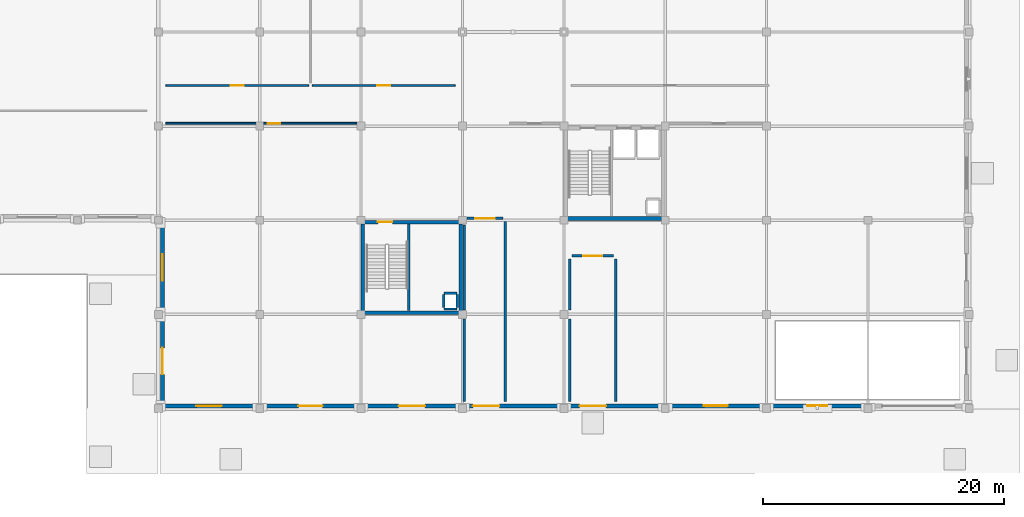
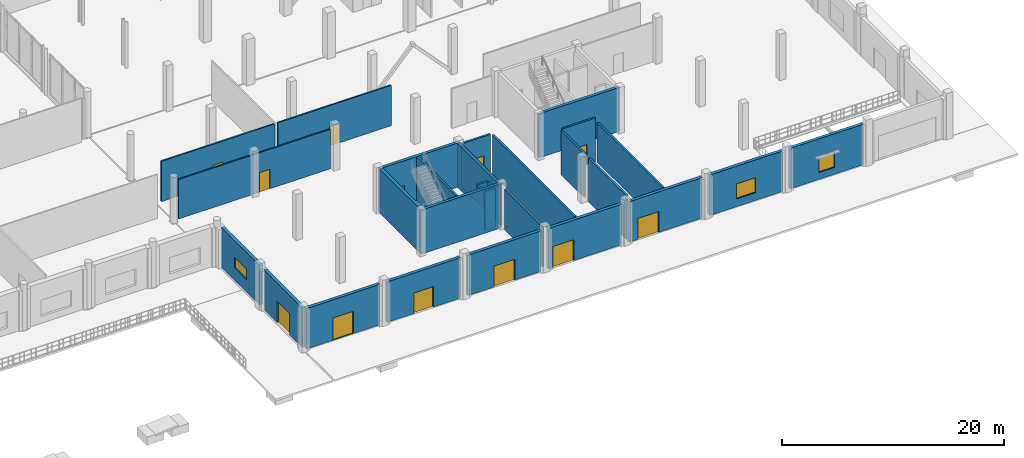
# One storey, part 54 of 80: 30 walls, 12 doors, 3 windows, 15 openings.
"""IFC4 building model written with IfcOpenShell, lengths in metres."""

from ifc_helpers import new_model, si_unit, direction, frame, frame_2d, origin, place, context, subcontext, project, spatial, rectangle, extrude, material, layer, layer_set, type_object, element, fill, save


model = new_model("IFC4")

# Units and contexts
model_context = context("Model", 3, precision=1e-05, world=origin(), true_north=direction((0.0, 1.0)))
body_context = subcontext(model_context, "Body", "Model", "MODEL_VIEW")
ifc_project = project(units=[si_unit("LENGTHUNIT", "METRE"), si_unit("AREAUNIT", "SQUARE_METRE"), si_unit("VOLUMEUNIT", "CUBIC_METRE"), si_unit("PLANEANGLEUNIT", "RADIAN"), si_unit("MASSUNIT", "GRAM", prefix="KILO")], contexts=[model_context])

# Site, building, storey
site_placement = place(None, origin())
site = spatial("IfcSite", under=ifc_project, at=site_placement, CompositionType="ELEMENT")
building_placement = place(site_placement, origin())
building = spatial("IfcBuilding", under=site, at=building_placement, Name="Nabrawat Pavilion Hospital", CompositionType="ELEMENT")
storey_placement = place(building_placement, origin())
storey = spatial("IfcBuildingStorey", under=building, at=storey_placement, Name="L00", CompositionType="ELEMENT", Elevation=0.0)

# Wall, opening, door
ifc_material_1 = material(Name="Gypsum Fireboard on Steel Stud", Category="steel")
ifc_layer_1 = layer(ifc_material_1, 0.14990234375, Name="Gypsum Fireboard on Steel Stud")
ifc_layer_set_1 = layer_set([ifc_layer_1], Name="Gypsum Fireboard on Steel Stud")
wall_type_1 = type_object("IfcWallType", Name="Clinical Corridor Smoke-Barrier Wall 150", PredefinedType="PARTITIONING", material=ifc_layer_set_1)
wall_1_placement = place(storey_placement, frame((126.6201171875, 23.635009765625, 0.0), z_axis=(0.0, 0.0, 1.0), x_axis=(1.0, 0.0, 0.0)))
wall_1 = element("IfcWall", 1, at=wall_1_placement, inside=storey, type_object=wall_type_1, Name="L00 Outpatient Clinic General Medicine Room L00-01 Front Partition", PredefinedType="PARTITIONING", context=body_context, shape_type="SweptSolid", body=[
    extrude(rectangle(XDim=15.829833984375, YDim=0.14990234375, at=frame_2d((7.9150390625, 0.0))), origin(), (0.0, 0.0, 1.0), 4.35009765625),
])
opening_1_placement = place(wall_1_placement, frame((8.43994140625, 0.0, 0.0)))
opening_1 = element("IfcOpeningElement", 2, at=opening_1_placement, cuts=wall_1, Name="Opening D-OPC-L", PredefinedType="OPENING", context=body_context, shape_type="SweptSolid", body=[
    extrude(rectangle(XDim=1.050048828125, YDim=2.14990234375, at=frame_2d((0.52490234375, 1.074951171875))), frame((0.0, 0.0849609375, 0.0), z_axis=(0.0, -1.0, 0.0), x_axis=(1.0, 0.0, 0.0)), (0.0, 0.0, 1.0), 0.169921875),
])
ifc_material_2 = material(Name="Stainless-Clad Acoustic Timber and Vision Glass", Category="wood")
door_type_1 = type_object("IfcDoorType", Name="Outpatient Clinic Consultation Door L 1050x2150", OperationType="NOTDEFINED", PredefinedType="DOOR", material=ifc_material_2)
door_1_placement = place(opening_1_placement, origin())
door_1 = element("IfcDoor", 3, at=door_1_placement, inside=storey, type_object=door_type_1, Name="Outpatient Clinic General Medicine Room L00-01 Door", OperationType="SINGLE_SWING_RIGHT", OverallHeight=2.14990234375, OverallWidth=1.050048828125, PredefinedType="DOOR", context=body_context, shape_type="SweptSolid", body=[
    extrude(rectangle(XDim=1.050048828125, YDim=2.14990234375, at=frame_2d((0.52490234375, 1.074951171875))), frame((0.0, 0.02490234375, 0.0), z_axis=(0.0, -1.0, 0.0), x_axis=(1.0, 0.0, 0.0)), (0.0, 0.0, 1.0), 0.050048828125),
])
fill(opening_1, door_1)

wall_2_placement = place(storey_placement, frame((126.6201171875, 26.764892578125, 0.0), z_axis=(0.0, 0.0, 1.0), x_axis=(1.0, 0.0, 0.0)))
wall_2 = element("IfcWall", 4, at=wall_2_placement, inside=storey, type_object=wall_type_1, Name="L00 Outpatient Audiology and ENT Testing Booth L00-04 Front Partition", PredefinedType="PARTITIONING", context=body_context, shape_type="SweptSolid", body=[
    extrude(rectangle(XDim=11.81982421875, YDim=0.14990234375, at=frame_2d((5.909912109375, 0.0))), origin(), (0.0, 0.0, 1.0), 4.449951171875),
])
opening_2_placement = place(wall_2_placement, frame((5.385009765625, 0.0, 0.0)))
opening_2 = element("IfcOpeningElement", 5, at=opening_2_placement, cuts=wall_2, Name="Opening D-OPC-R", PredefinedType="OPENING", context=body_context, shape_type="SweptSolid", body=[
    extrude(rectangle(XDim=1.050048828125, YDim=2.14990234375, at=frame_2d((0.52490234375, 1.074951171875))), frame((0.0, 0.0849609375, 0.0), z_axis=(0.0, -1.0, 0.0), x_axis=(1.0, 0.0, 0.0)), (0.0, 0.0, 1.0), 0.169921875),
])
door_type_2 = type_object("IfcDoorType", Name="Outpatient Clinic Consultation Door R 1050x2150", OperationType="NOTDEFINED", PredefinedType="DOOR", material=ifc_material_2)
door_2_placement = place(opening_2_placement, origin())
door_2 = element("IfcDoor", 6, at=door_2_placement, inside=storey, type_object=door_type_2, Name="Outpatient Audiology and ENT Testing Booth L00-04 Door", OperationType="SINGLE_SWING_LEFT", OverallHeight=2.14990234375, OverallWidth=1.050048828125, PredefinedType="DOOR", context=body_context, shape_type="SweptSolid", body=[
    extrude(rectangle(XDim=1.050048828125, YDim=2.14990234375, at=frame_2d((0.52490234375, 1.074951171875))), frame((0.0, 0.02490234375, 0.0), z_axis=(0.0, -1.0, 0.0), x_axis=(1.0, 0.0, 0.0)), (0.0, 0.0, 1.0), 0.050048828125),
])
fill(opening_2, door_2)

wall_3_placement = place(storey_placement, frame((138.760009765625, 26.764892578125, 0.0), z_axis=(0.0, 0.0, 1.0), x_axis=(1.0, 0.0, 0.0)))
wall_3 = element("IfcWall", 7, at=wall_3_placement, inside=storey, type_object=wall_type_1, Name="L00 Outpatient Ophthalmology Examination Room L00-05 Front Partition", PredefinedType="PARTITIONING", context=body_context, shape_type="SweptSolid", body=[
    extrude(rectangle(XDim=11.820068359375, YDim=0.14990234375, at=frame_2d((5.91015625, 0.0))), origin(), (0.0, 0.0, 1.0), 4.449951171875),
])
opening_3_placement = place(wall_3_placement, frame((5.385009765625, 0.0, 0.0)))
opening_3 = element("IfcOpeningElement", 8, at=opening_3_placement, cuts=wall_3, Name="Opening D-OPC-L", PredefinedType="OPENING", context=body_context, shape_type="SweptSolid", body=[
    extrude(rectangle(XDim=1.050048828125, YDim=2.14990234375, at=frame_2d((0.52490234375, 1.074951171875))), frame((0.0, 0.0849609375, 0.0), z_axis=(0.0, -1.0, 0.0), x_axis=(1.0, 0.0, 0.0)), (0.0, 0.0, 1.0), 0.169921875),
])
door_3_placement = place(opening_3_placement, origin())
door_3 = element("IfcDoor", 9, at=door_3_placement, inside=storey, type_object=door_type_1, Name="Outpatient Ophthalmology Examination Room L00-05 Door", OperationType="SINGLE_SWING_RIGHT", OverallHeight=2.14990234375, OverallWidth=1.050048828125, PredefinedType="DOOR", context=body_context, shape_type="SweptSolid", body=[
    extrude(rectangle(XDim=1.050048828125, YDim=2.14990234375, at=frame_2d((0.52490234375, 1.074951171875))), frame((0.0, 0.02490234375, 0.0), z_axis=(0.0, -1.0, 0.0), x_axis=(1.0, 0.0, 0.0)), (0.0, 0.0, 1.0), 0.050048828125),
])
fill(opening_3, door_3)

ifc_material_3 = material(Name="Precast concrete C40/50", Category="concrete")
ifc_layer_2 = layer(ifc_material_3, 0.320068359375, Name="Precast concrete C40/50")
ifc_layer_set_2 = layer_set([ifc_layer_2], Name="Precast concrete C40/50")
wall_type_2 = type_object("IfcWallType", Name="Deep-Reveal Precast Facade Wall 320", PredefinedType="SOLIDWALL", material=ifc_layer_set_2)
wall_4_placement = place(storey_placement, frame((126.340087890625, 0.43994140625, 0.0), z_axis=(0.0, 0.0, 1.0), x_axis=(0.0, 1.0, 0.0)))
wall_4 = element("IfcWall", 10, at=wall_4_placement, inside=storey, type_object=wall_type_2, Name="L00 Deep-Reveal Precast Facade Wall 320 134", PredefinedType="SOLIDWALL", context=body_context, shape_type="SweptSolid", body=[
    extrude(rectangle(XDim=6.985107421875, YDim=0.320068359375, at=frame_2d((3.49267578125, 0.0))), origin(), (0.0, 0.0, 1.0), 4.35009765625),
])
opening_4_placement = place(wall_4_placement, frame((2.392578125, 0.0, 0.0)))
opening_4 = element("IfcOpeningElement", 11, at=opening_4_placement, cuts=wall_4, Name="Opening ED-EXIT-220", PredefinedType="OPENING", context=body_context, shape_type="SweptSolid", body=[
    extrude(rectangle(XDim=2.199951171875, YDim=2.300048828125, at=frame_2d((1.10009765625, 1.14990234375))), frame((0.0, 0.169921875, 0.0), z_axis=(0.0, -1.0, 0.0), x_axis=(1.0, 0.0, 0.0)), (0.0, 0.0, 1.0), 0.340087890625),
])
ifc_material_4 = material(Name="Powder-Coated Galvanised Steel and Safety Glass", Category="steel")
door_type_3 = type_object("IfcDoorType", Name="Perimeter Double Final-Exit Door 2200x2300", OperationType="NOTDEFINED", PredefinedType="DOOR", material=ifc_material_4)
door_4_placement = place(opening_4_placement, origin())
door_4 = element("IfcDoor", 12, at=door_4_placement, inside=storey, type_object=door_type_3, Name="L00 Perimeter Final Exit Door 18", OperationType="DOUBLE_DOOR_SINGLE_SWING", OverallHeight=2.300048828125, OverallWidth=2.199951171875, PredefinedType="DOOR", context=body_context, shape_type="SweptSolid", body=[
    extrude(rectangle(XDim=2.199951171875, YDim=2.300048828125, at=frame_2d((1.10009765625, 1.14990234375))), frame((0.0, 0.02490234375, 0.0), z_axis=(0.0, -1.0, 0.0), x_axis=(1.0, 0.0, 0.0)), (0.0, 0.0, 1.0), 0.050048828125),
])
fill(opening_4, door_4)

# Wall, opening, window
wall_5_placement = place(storey_placement, frame((126.340087890625, 8.175048828125, 0.0), z_axis=(0.0, 0.0, 1.0), x_axis=(0.0, 1.0, 0.0)))
wall_5 = element("IfcWall", 13, at=wall_5_placement, inside=storey, type_object=wall_type_2, Name="L00 Deep-Reveal Precast Facade Wall 320 135", PredefinedType="SOLIDWALL", context=body_context, shape_type="SweptSolid", body=[
    extrude(rectangle(XDim=6.98486328125, YDim=0.320068359375, at=frame_2d((3.492431640625, 0.0))), origin(), (0.0, 0.0, 1.0), 4.35009765625),
])
opening_5_placement = place(wall_5_placement, frame((2.392578125, 0.0, 1.35009765625)))
opening_5 = element("IfcOpeningElement", 14, at=opening_5_placement, cuts=wall_5, Name="Opening WN-11", PredefinedType="OPENING", context=body_context, shape_type="SweptSolid", body=[
    extrude(rectangle(XDim=2.199951171875, YDim=1.14990234375, at=frame_2d((1.10009765625, 0.574951171875))), frame((0.0, 0.169921875, 0.0), z_axis=(0.0, -1.0, 0.0), x_axis=(1.0, 0.0, 0.0)), (0.0, 0.0, 1.0), 0.340087890625),
])
ifc_material_5 = material(Name="Thermally Broken Aluminium and Solar Glass", Category="aluminium")
window_type_1 = type_object("IfcWindowType", Name="Diagnostic Laboratory Clerestory 2200x1150", PartitioningType="SINGLE_PANEL", PredefinedType="WINDOW", material=ifc_material_5)
window_1_placement = place(opening_5_placement, origin())
window_1 = element("IfcWindow", 15, at=window_1_placement, inside=storey, type_object=window_type_1, Name="L00 Diagnostic Laboratory Clerestory 2200x1150 043", OverallHeight=1.14990234375, OverallWidth=2.199951171875, PartitioningType="SINGLE_PANEL", PredefinedType="WINDOW", context=body_context, shape_type="SweptSolid", body=[
    extrude(rectangle(XDim=2.199951171875, YDim=1.14990234375, at=frame_2d((1.10009765625, 0.574951171875))), frame((0.0, 0.030029296875, 0.0), z_axis=(0.0, -1.0, 0.0), x_axis=(1.0, 0.0, 0.0)), (0.0, 0.0, 1.0), 0.06005859375),
])
fill(opening_5, window_1)

# Wall, opening, door
wall_6_placement = place(storey_placement, frame((126.375, 0.219970703125, 0.0), z_axis=(0.0, 0.0, 1.0), x_axis=(1.0, 0.0, 0.0)))
wall_6 = element("IfcWall", 16, at=wall_6_placement, inside=storey, type_object=wall_type_2, Name="L00 Deep-Reveal Precast Facade Wall 320 136", PredefinedType="SOLIDWALL", context=body_context, shape_type="SweptSolid", body=[
    extrude(rectangle(XDim=7.64990234375, YDim=0.320068359375, at=frame_2d((3.824951171875, 0.0))), origin(), (0.0, 0.0, 1.0), 4.4599609375),
])
opening_6_placement = place(wall_6_placement, frame((2.77490234375, 0.0, 0.0)))
opening_6 = element("IfcOpeningElement", 17, at=opening_6_placement, cuts=wall_6, Name="Opening ED-OPC-210", PredefinedType="OPENING", context=body_context, shape_type="SweptSolid", body=[
    extrude(rectangle(XDim=2.10009765625, YDim=2.449951171875, at=frame_2d((1.050048828125, 1.22509765625))), frame((0.0, 0.169921875, 0.0), z_axis=(0.0, -1.0, 0.0), x_axis=(1.0, 0.0, 0.0)), (0.0, 0.0, 1.0), 0.340087890625),
])
door_type_4 = type_object("IfcDoorType", Name="Outpatient Plaza Double Entrance Door 2100x2450", OperationType="NOTDEFINED", PredefinedType="DOOR", material=ifc_material_4)
door_5_placement = place(opening_6_placement, frame((2.10009765625, 0.0, 0.0), z_axis=(0.0, 0.0, 1.0), x_axis=(-1.0, 0.0, 0.0)))
door_5 = element("IfcDoor", 18, at=door_5_placement, inside=storey, type_object=door_type_4, Name="L00 Perimeter Final Exit Door 19", OperationType="DOUBLE_DOOR_SINGLE_SWING", OverallHeight=2.449951171875, OverallWidth=2.10009765625, PredefinedType="DOOR", context=body_context, shape_type="SweptSolid", body=[
    extrude(rectangle(XDim=2.10009765625, YDim=2.449951171875, at=frame_2d((1.050048828125, 1.22509765625))), frame((0.0, 0.02490234375, 0.0), z_axis=(0.0, -1.0, 0.0), x_axis=(1.0, 0.0, 0.0)), (0.0, 0.0, 1.0), 0.050048828125),
])
fill(opening_6, door_5)

wall_7_placement = place(storey_placement, frame((134.77490234375, 0.219970703125, 0.0), z_axis=(0.0, 0.0, 1.0), x_axis=(1.0, 0.0, 0.0)))
wall_7 = element("IfcWall", 19, at=wall_7_placement, inside=storey, type_object=wall_type_2, Name="L00 Deep-Reveal Precast Facade Wall 320 137", PredefinedType="SOLIDWALL", context=body_context, shape_type="SweptSolid", body=[
    extrude(rectangle(XDim=7.650146484375, YDim=0.320068359375, at=frame_2d((3.8251953125, 0.0))), origin(), (0.0, 0.0, 1.0), 4.4599609375),
])
opening_7_placement = place(wall_7_placement, frame((2.824951171875, 0.0, 0.0)))
opening_7 = element("IfcOpeningElement", 20, at=opening_7_placement, cuts=wall_7, Name="Opening ED-EXIT-200", PredefinedType="OPENING", context=body_context, shape_type="SweptSolid", body=[
    extrude(rectangle(XDim=2.0, YDim=2.25, at=frame_2d((1.0, 1.125))), frame((0.0, 0.169921875, 0.0), z_axis=(0.0, -1.0, 0.0), x_axis=(1.0, 0.0, 0.0)), (0.0, 0.0, 1.0), 0.340087890625),
])
door_type_5 = type_object("IfcDoorType", Name="Secondary Final-Exit Double Door 2000x2250", OperationType="NOTDEFINED", PredefinedType="DOOR", material=ifc_material_4)
door_6_placement = place(opening_7_placement, frame((2.0, 0.0, 0.0), z_axis=(0.0, 0.0, 1.0), x_axis=(-1.0, 0.0, 0.0)))
door_6 = element("IfcDoor", 21, at=door_6_placement, inside=storey, type_object=door_type_5, Name="L00 Perimeter Final Exit Door 20", OperationType="DOUBLE_DOOR_SINGLE_SWING", OverallHeight=2.25, OverallWidth=2.0, PredefinedType="DOOR", context=body_context, shape_type="SweptSolid", body=[
    extrude(rectangle(XDim=2.0, YDim=2.25, at=frame_2d((1.0, 1.125))), frame((0.0, 0.02490234375, 0.0), z_axis=(0.0, -1.0, 0.0), x_axis=(1.0, 0.0, 0.0)), (0.0, 0.0, 1.0), 0.050048828125),
])
fill(opening_7, door_6)

wall_8_placement = place(storey_placement, frame((143.175048828125, 0.219970703125, 0.0), z_axis=(0.0, 0.0, 1.0), x_axis=(1.0, 0.0, 0.0)))
wall_8 = element("IfcWall", 22, at=wall_8_placement, inside=storey, type_object=wall_type_2, Name="L00 Deep-Reveal Precast Facade Wall 320 138", PredefinedType="SOLIDWALL", context=body_context, shape_type="SweptSolid", body=[
    extrude(rectangle(XDim=7.64990234375, YDim=0.320068359375, at=frame_2d((3.824951171875, 0.0))), origin(), (0.0, 0.0, 1.0), 4.4599609375),
])
opening_8_placement = place(wall_8_placement, frame((2.72509765625, 0.0, 0.0)))
opening_8 = element("IfcOpeningElement", 23, at=opening_8_placement, cuts=wall_8, Name="Opening ED-EXIT-220", PredefinedType="OPENING", context=body_context, shape_type="SweptSolid", body=[
    extrude(rectangle(XDim=2.199951171875, YDim=2.300048828125, at=frame_2d((1.10009765625, 1.14990234375))), frame((0.0, 0.169921875, 0.0), z_axis=(0.0, -1.0, 0.0), x_axis=(1.0, 0.0, 0.0)), (0.0, 0.0, 1.0), 0.340087890625),
])
door_7_placement = place(opening_8_placement, frame((2.199951171875, 0.0, 0.0), z_axis=(0.0, 0.0, 1.0), x_axis=(-1.0, 0.0, 0.0)))
door_7 = element("IfcDoor", 24, at=door_7_placement, inside=storey, type_object=door_type_3, Name="L00 Perimeter Final Exit Door 21", OperationType="DOUBLE_DOOR_SINGLE_SWING", OverallHeight=2.300048828125, OverallWidth=2.199951171875, PredefinedType="DOOR", context=body_context, shape_type="SweptSolid", body=[
    extrude(rectangle(XDim=2.199951171875, YDim=2.300048828125, at=frame_2d((1.10009765625, 1.14990234375))), frame((0.0, 0.02490234375, 0.0), z_axis=(0.0, -1.0, 0.0), x_axis=(1.0, 0.0, 0.0)), (0.0, 0.0, 1.0), 0.050048828125),
])
fill(opening_8, door_7)

wall_9_placement = place(storey_placement, frame((151.574951171875, 0.219970703125, 0.0), z_axis=(0.0, 0.0, 1.0), x_axis=(1.0, 0.0, 0.0)))
wall_9 = element("IfcWall", 25, at=wall_9_placement, inside=storey, type_object=wall_type_2, Name="L00 Deep-Reveal Precast Facade Wall 320 139", PredefinedType="SOLIDWALL", context=body_context, shape_type="SweptSolid", body=[
    extrude(rectangle(XDim=7.650146484375, YDim=0.320068359375, at=frame_2d((3.8251953125, 0.0))), origin(), (0.0, 0.0, 1.0), 4.4599609375),
])
opening_9_placement = place(wall_9_placement, frame((0.47509765625, 0.0, 0.0)))
opening_9 = element("IfcOpeningElement", 26, at=opening_9_placement, cuts=wall_9, Name="Opening ED-EXIT-220", PredefinedType="OPENING", context=body_context, shape_type="SweptSolid", body=[
    extrude(rectangle(XDim=2.199951171875, YDim=2.300048828125, at=frame_2d((1.10009765625, 1.14990234375))), frame((0.0, 0.169921875, 0.0), z_axis=(0.0, -1.0, 0.0), x_axis=(1.0, 0.0, 0.0)), (0.0, 0.0, 1.0), 0.340087890625),
])
door_8_placement = place(opening_9_placement, frame((2.199951171875, 0.0, 0.0), z_axis=(0.0, 0.0, 1.0), x_axis=(-1.0, 0.0, 0.0)))
door_8 = element("IfcDoor", 27, at=door_8_placement, inside=storey, type_object=door_type_3, Name="L00 ST-08 Protected Exit Discharge Final Exit Door", OperationType="DOUBLE_DOOR_SINGLE_SWING", OverallHeight=2.300048828125, OverallWidth=2.199951171875, PredefinedType="DOOR", context=body_context, shape_type="SweptSolid", body=[
    extrude(rectangle(XDim=2.199951171875, YDim=2.300048828125, at=frame_2d((1.10009765625, 1.14990234375))), frame((0.0, 0.02490234375, 0.0), z_axis=(0.0, -1.0, 0.0), x_axis=(1.0, 0.0, 0.0)), (0.0, 0.0, 1.0), 0.050048828125),
])
fill(opening_9, door_8)

wall_10_placement = place(storey_placement, frame((159.97509765625, 0.219970703125, 0.0), z_axis=(0.0, 0.0, 1.0), x_axis=(1.0, 0.0, 0.0)))
wall_10 = element("IfcWall", 28, at=wall_10_placement, inside=storey, type_object=wall_type_2, Name="L00 Deep-Reveal Precast Facade Wall 320 140", PredefinedType="SOLIDWALL", context=body_context, shape_type="SweptSolid", body=[
    extrude(rectangle(XDim=7.64990234375, YDim=0.320068359375, at=frame_2d((3.824951171875, 0.0))), origin(), (0.0, 0.0, 1.0), 4.4599609375),
])
opening_10_placement = place(wall_10_placement, frame((0.925048828125, 0.0, 0.0)))
opening_10 = element("IfcOpeningElement", 29, at=opening_10_placement, cuts=wall_10, Name="Opening ED-EXIT-220", PredefinedType="OPENING", context=body_context, shape_type="SweptSolid", body=[
    extrude(rectangle(XDim=2.199951171875, YDim=2.300048828125, at=frame_2d((1.10009765625, 1.14990234375))), frame((0.0, 0.169921875, 0.0), z_axis=(0.0, -1.0, 0.0), x_axis=(1.0, 0.0, 0.0)), (0.0, 0.0, 1.0), 0.340087890625),
])
door_9_placement = place(opening_10_placement, frame((2.199951171875, 0.0, 0.0), z_axis=(0.0, 0.0, 1.0), x_axis=(-1.0, 0.0, 0.0)))
door_9 = element("IfcDoor", 30, at=door_9_placement, inside=storey, type_object=door_type_3, Name="L00 ST-04 Protected Exit Discharge Final Exit Door", OperationType="DOUBLE_DOOR_SINGLE_SWING", OverallHeight=2.300048828125, OverallWidth=2.199951171875, PredefinedType="DOOR", context=body_context, shape_type="SweptSolid", body=[
    extrude(rectangle(XDim=2.199951171875, YDim=2.300048828125, at=frame_2d((1.10009765625, 1.14990234375))), frame((0.0, 0.02490234375, 0.0), z_axis=(0.0, -1.0, 0.0), x_axis=(1.0, 0.0, 0.0)), (0.0, 0.0, 1.0), 0.050048828125),
])
fill(opening_10, door_9)

# Wall, opening, window
wall_11_placement = place(storey_placement, frame((168.375, 0.219970703125, 0.0), z_axis=(0.0, 0.0, 1.0), x_axis=(1.0, 0.0, 0.0)))
wall_11 = element("IfcWall", 31, at=wall_11_placement, inside=storey, type_object=wall_type_2, Name="L00 Deep-Reveal Precast Facade Wall 320 141", PredefinedType="SOLIDWALL", context=body_context, shape_type="SweptSolid", body=[
    extrude(rectangle(XDim=7.64990234375, YDim=0.320068359375, at=frame_2d((3.824951171875, 0.0))), origin(), (0.0, 0.0, 1.0), 4.4599609375),
])
opening_11_placement = place(wall_11_placement, frame((2.824951171875, 0.0, 0.85009765625)))
opening_11 = element("IfcOpeningElement", 32, at=opening_11_placement, cuts=wall_11, Name="Opening WN-12", PredefinedType="OPENING", context=body_context, shape_type="SweptSolid", body=[
    extrude(rectangle(XDim=2.0, YDim=1.64990234375, at=frame_2d((1.0, 0.824951171875))), frame((0.0, 0.169921875, 0.0), z_axis=(0.0, -1.0, 0.0), x_axis=(1.0, 0.0, 0.0)), (0.0, 0.0, 1.0), 0.340087890625),
])
window_type_2 = type_object("IfcWindowType", Name="ICU Observation Daylight Window 2000x1650", PartitioningType="SINGLE_PANEL", PredefinedType="WINDOW", material=ifc_material_5)
window_2_placement = place(opening_11_placement, origin())
window_2 = element("IfcWindow", 33, at=window_2_placement, inside=storey, type_object=window_type_2, Name="L00 ICU Observation Daylight Window 2000x1650 044", OverallHeight=1.64990234375, OverallWidth=2.0, PartitioningType="SINGLE_PANEL", PredefinedType="WINDOW", context=body_context, shape_type="SweptSolid", body=[
    extrude(rectangle(XDim=2.0, YDim=1.64990234375, at=frame_2d((1.0, 0.824951171875))), frame((0.0, 0.030029296875, 0.0), z_axis=(0.0, -1.0, 0.0), x_axis=(1.0, 0.0, 0.0)), (0.0, 0.0, 1.0), 0.06005859375),
])
fill(opening_11, window_2)

wall_12_placement = place(storey_placement, frame((176.77490234375, 0.219970703125, 0.0), z_axis=(0.0, 0.0, 1.0), x_axis=(1.0, 0.0, 0.0)))
wall_12 = element("IfcWall", 34, at=wall_12_placement, inside=storey, type_object=wall_type_2, Name="L00 Deep-Reveal Precast Facade Wall 320 142", PredefinedType="SOLIDWALL", context=body_context, shape_type="SweptSolid", body=[
    extrude(rectangle(XDim=7.650146484375, YDim=0.320068359375, at=frame_2d((3.8251953125, 0.0))), origin(), (0.0, 0.0, 1.0), 4.4599609375),
])
opening_12_placement = place(wall_12_placement, frame((3.0, 0.0, 0.75)))
opening_12 = element("IfcOpeningElement", 35, at=opening_12_placement, cuts=wall_12, Name="Opening WN-13", PredefinedType="OPENING", context=body_context, shape_type="SweptSolid", body=[
    extrude(rectangle(XDim=1.64990234375, YDim=1.75, at=frame_2d((0.824951171875, 0.875))), frame((0.0, 0.169921875, 0.0), z_axis=(0.0, -1.0, 0.0), x_axis=(1.0, 0.0, 0.0)), (0.0, 0.0, 1.0), 0.340087890625),
])
window_type_3 = type_object("IfcWindowType", Name="Paediatric Ward Low-Sill Window 1650x1750", PartitioningType="SINGLE_PANEL", PredefinedType="WINDOW", material=ifc_material_5)
window_3_placement = place(opening_12_placement, origin())
window_3 = element("IfcWindow", 36, at=window_3_placement, inside=storey, type_object=window_type_3, Name="L00 Paediatric Ward Low-Sill Window 1650x1750 045", OverallHeight=1.75, OverallWidth=1.64990234375, PartitioningType="SINGLE_PANEL", PredefinedType="WINDOW", context=body_context, shape_type="SweptSolid", body=[
    extrude(rectangle(XDim=1.64990234375, YDim=1.75, at=frame_2d((0.824951171875, 0.875))), frame((0.0, 0.030029296875, 0.0), z_axis=(0.0, -1.0, 0.0), x_axis=(1.0, 0.0, 0.0)), (0.0, 0.0, 1.0), 0.06005859375),
])
fill(opening_12, window_3)

# Walls
ifc_material_6 = material(Name="Concrete C35/45", Category="concrete")
ifc_layer_3 = layer(ifc_material_6, 0.199951171875, Name="Concrete C35/45")
ifc_layer_set_3 = layer_set([ifc_layer_3], Name="Concrete C35/45")
wall_type_3 = type_object("IfcWallType", Name="Firefighting Lobby Compartment Wall 200", PredefinedType="PARTITIONING", material=ifc_layer_set_3)
wall_13_placement = place(storey_placement, frame((160.10009765625, 0.60009765625, 0.0), z_axis=(0.0, 0.0, 1.0), x_axis=(0.0, 1.0, 0.0)))
element("IfcWall", 37, at=wall_13_placement, inside=storey, type_object=wall_type_3, Name="L00 ST-04 Protected Exit Passage West Fire Wall 1", PredefinedType="PARTITIONING", context=body_context, shape_type="SweptSolid", body=[
    extrude(rectangle(XDim=6.824951171875, YDim=0.199951171875, at=frame_2d((3.41259765625, 0.0))), origin(), (0.0, 0.0, 1.0), 4.820068359375),
])
wall_14_placement = place(storey_placement, frame((160.10009765625, 8.175048828125, 0.0), z_axis=(0.0, 0.0, 1.0), x_axis=(0.0, 1.0, 0.0)))
element("IfcWall", 38, at=wall_14_placement, inside=storey, type_object=wall_type_3, Name="L00 ST-04 Protected Exit Passage West Fire Wall 2", PredefinedType="PARTITIONING", context=body_context, shape_type="SweptSolid", body=[
    extrude(rectangle(XDim=4.224853515625, YDim=0.199951171875, at=frame_2d((2.1123046875, 0.0))), origin(), (0.0, 0.0, 1.0), 4.820068359375),
])
wall_15_placement = place(storey_placement, frame((163.89990234375, 0.60009765625, 0.0), z_axis=(0.0, 0.0, 1.0), x_axis=(0.0, 1.0, 0.0)))
element("IfcWall", 39, at=wall_15_placement, inside=storey, type_object=wall_type_3, Name="L00 ST-04 Protected Exit Passage East Fire Wall 1", PredefinedType="PARTITIONING", context=body_context, shape_type="SweptSolid", body=[
    extrude(rectangle(XDim=11.7998046875, YDim=0.199951171875, at=frame_2d((5.89990234375, 0.0))), origin(), (0.0, 0.0, 1.0), 4.35009765625),
])

# Wall, opening, door
wall_16_placement = place(storey_placement, frame((160.280029296875, 12.64990234375, 0.0), z_axis=(0.0, 0.0, 1.0), x_axis=(1.0, 0.0, 0.0)))
wall_16 = element("IfcWall", 40, at=wall_16_placement, inside=storey, type_object=wall_type_3, Name="L00 ST-04 Protected Exit Passage North Fire Wall 1", PredefinedType="PARTITIONING", context=body_context, shape_type="SweptSolid", body=[
    extrude(rectangle(XDim=3.43994140625, YDim=0.199951171875, at=frame_2d((1.719970703125, 0.0))), origin(), (0.0, 0.0, 1.0), 4.820068359375),
])
opening_13_placement = place(wall_16_placement, frame((0.919921875, 0.0, 0.0)))
opening_13 = element("IfcOpeningElement", 41, at=opening_13_placement, cuts=wall_16, Name="Opening D-FFL", PredefinedType="OPENING", context=body_context, shape_type="SweptSolid", body=[
    extrude(rectangle(XDim=1.60009765625, YDim=2.199951171875, at=frame_2d((0.800048828125, 1.10009765625))), frame((0.0, 0.10986328125, 0.0), z_axis=(0.0, -1.0, 0.0), x_axis=(1.0, 0.0, 0.0)), (0.0, 0.0, 1.0), 0.219970703125),
])
door_type_6 = type_object("IfcDoorType", Name="D-FFL Firefighting Lobby Double Smoke Door 1600x2200", OperationType="NOTDEFINED", PredefinedType="DOOR", material=ifc_material_2)
door_10_placement = place(opening_13_placement, frame((1.60009765625, 0.0, 0.0), z_axis=(0.0, 0.0, 1.0), x_axis=(-1.0, 0.0, 0.0)))
door_10 = element("IfcDoor", 42, at=door_10_placement, inside=storey, type_object=door_type_6, Name="L00 ST-04 Protected Exit Passage Entry Fire Door", OperationType="DOUBLE_DOOR_SINGLE_SWING", OverallHeight=2.199951171875, OverallWidth=1.60009765625, PredefinedType="DOOR", context=body_context, shape_type="SweptSolid", body=[
    extrude(rectangle(XDim=1.60009765625, YDim=2.199951171875, at=frame_2d((0.800048828125, 1.10009765625))), frame((0.0, 0.02490234375, 0.0), z_axis=(0.0, -1.0, 0.0), x_axis=(1.0, 0.0, 0.0)), (0.0, 0.0, 1.0), 0.050048828125),
])
fill(opening_13, door_10)

# Walls
wall_17_placement = place(storey_placement, frame((151.35009765625, 0.60009765625, 0.0), z_axis=(0.0, 0.0, 1.0), x_axis=(0.0, 1.0, 0.0)))
element("IfcWall", 43, at=wall_17_placement, inside=storey, type_object=wall_type_3, Name="L00 ST-08 Protected Exit Passage West Fire Wall 1", PredefinedType="PARTITIONING", context=body_context, shape_type="SweptSolid", body=[
    extrude(rectangle(XDim=6.824951171875, YDim=0.199951171875, at=frame_2d((3.41259765625, 0.0))), origin(), (0.0, 0.0, 1.0), 4.449951171875),
])
wall_18_placement = place(storey_placement, frame((151.35009765625, 8.175048828125, 0.0), z_axis=(0.0, 0.0, 1.0), x_axis=(0.0, 1.0, 0.0)))
element("IfcWall", 44, at=wall_18_placement, inside=storey, type_object=wall_type_3, Name="L00 ST-08 Protected Exit Passage West Fire Wall 2", PredefinedType="PARTITIONING", context=body_context, shape_type="SweptSolid", body=[
    extrude(rectangle(XDim=7.050048828125, YDim=0.199951171875, at=frame_2d((3.52490234375, 0.0))), origin(), (0.0, 0.0, 1.0), 4.449951171875),
])
wall_19_placement = place(storey_placement, frame((154.75, 0.60009765625, 0.0), z_axis=(0.0, 0.0, 1.0), x_axis=(0.0, 1.0, 0.0)))
element("IfcWall", 45, at=wall_19_placement, inside=storey, type_object=wall_type_3, Name="L00 ST-08 Protected Exit Passage East Fire Wall 1", PredefinedType="PARTITIONING", context=body_context, shape_type="SweptSolid", body=[
    extrude(rectangle(XDim=14.89990234375, YDim=0.199951171875, at=frame_2d((7.449951171875, 0.0))), origin(), (0.0, 0.0, 1.0), 4.35009765625),
])

# Wall, opening, door
wall_20_placement = place(storey_placement, frame((151.574951171875, 15.75, 0.0), z_axis=(0.0, 0.0, 1.0), x_axis=(1.0, 0.0, 0.0)))
wall_20 = element("IfcWall", 46, at=wall_20_placement, inside=storey, type_object=wall_type_3, Name="L00 ST-08 Protected Exit Passage North Fire Wall 1", PredefinedType="PARTITIONING", context=body_context, shape_type="SweptSolid", body=[
    extrude(rectangle(XDim=2.9951171875, YDim=0.199951171875, at=frame_2d((1.49755859375, 0.0))), origin(), (0.0, 0.0, 1.0), 4.35009765625),
])
opening_14_placement = place(wall_20_placement, frame((0.697509765625, 0.0, 0.0)))
opening_14 = element("IfcOpeningElement", 47, at=opening_14_placement, cuts=wall_20, Name="Opening D-FFL", PredefinedType="OPENING", context=body_context, shape_type="SweptSolid", body=[
    extrude(rectangle(XDim=1.60009765625, YDim=2.199951171875, at=frame_2d((0.800048828125, 1.10009765625))), frame((0.0, 0.10986328125, 0.0), z_axis=(0.0, -1.0, 0.0), x_axis=(1.0, 0.0, 0.0)), (0.0, 0.0, 1.0), 0.219970703125),
])
door_11_placement = place(opening_14_placement, frame((1.60009765625, 0.0, 0.0), z_axis=(0.0, 0.0, 1.0), x_axis=(-1.0, 0.0, 0.0)))
door_11 = element("IfcDoor", 48, at=door_11_placement, inside=storey, type_object=door_type_6, Name="L00 ST-08 Protected Exit Passage Entry Fire Door", OperationType="DOUBLE_DOOR_SINGLE_SWING", OverallHeight=2.199951171875, OverallWidth=1.60009765625, PredefinedType="DOOR", context=body_context, shape_type="SweptSolid", body=[
    extrude(rectangle(XDim=1.60009765625, YDim=2.199951171875, at=frame_2d((0.800048828125, 1.10009765625))), frame((0.0, 0.02490234375, 0.0), z_axis=(0.0, -1.0, 0.0), x_axis=(1.0, 0.0, 0.0)), (0.0, 0.0, 1.0), 0.050048828125),
])
fill(opening_14, door_11)

# Walls
ifc_layer_4 = layer(ifc_material_6, 0.199951171875, Name="Concrete C35/45")
ifc_layer_set_4 = layer_set([ifc_layer_4], Name="Concrete C35/45")
wall_type_4 = type_object("IfcWallType", Name="Lift and Riser Fire Shaft Wall 200", PredefinedType="PARTITIONING", material=ifc_layer_set_4)
wall_21_placement = place(storey_placement, frame((146.75, 8.1201171875, 0.0), z_axis=(0.0, 0.0, 1.0), x_axis=(0.0, 1.0, 0.0)))
element("IfcWall", 49, at=wall_21_placement, inside=storey, type_object=wall_type_4, Name="L00 CORE-8 Stair-Lift Dividing Shear Wall", PredefinedType="SHEAR", context=body_context, shape_type="SweptSolid", body=[
    extrude(rectangle(XDim=7.159912109375, YDim=0.199951171875, at=frame_2d((3.580078125, 0.0))), origin(), (0.0, 0.0, 1.0), 4.8701171875),
])
for number, where, z_axis, x_axis, name in (
    (50, (149.64990234375, 8.25, 0.0), (0.0, 0.0, 1.0), (1.0, 0.0, 0.0), "L00 CORE-8 MEP Riser Shaft Wall S"),
    (51, (149.64990234375, 9.550048828125, 0.0), (0.0, 0.0, 1.0), (1.0, 0.0, 0.0), "L00 CORE-8 MEP Riser Shaft Wall N"),
):
    element("IfcWall", number, at=place(storey_placement, frame(where, z_axis=z_axis, x_axis=x_axis)), inside=storey, type_object=wall_type_4, Name=name, PredefinedType="PARTITIONING", context=body_context, shape_type="SweptSolid", body=[
        extrude(rectangle(XDim=1.10009765625, YDim=0.199951171875, at=frame_2d((0.550048828125, 0.0))), origin(), (0.0, 0.0, 1.0), 4.25),
    ])
for number, where, z_axis, x_axis, name in (
    (52, (149.64990234375, 8.3701171875, 0.0), (0.0, 0.0, 1.0), (0.0, 1.0, 0.0), "L00 CORE-8 MEP Riser Shaft Wall W"),
    (53, (150.75, 8.3701171875, 0.0), (0.0, 0.0, 1.0), (0.0, 1.0, 0.0), "L00 CORE-8 MEP Riser Shaft Wall E"),
):
    element("IfcWall", number, at=place(storey_placement, frame(where, z_axis=z_axis, x_axis=x_axis)), inside=storey, type_object=wall_type_4, Name=name, PredefinedType="PARTITIONING", context=body_context, shape_type="SweptSolid", body=[
        extrude(rectangle(XDim=1.059814453125, YDim=0.199951171875, at=frame_2d((0.52978515625, 0.0))), origin(), (0.0, 0.0, 1.0), 4.25),
    ])
ifc_material_7 = material(Name="Concrete C40/50", Category="concrete")
ifc_layer_5 = layer(ifc_material_7, 0.300048828125, Name="Concrete C40/50")
ifc_layer_set_5 = layer_set([ifc_layer_5], Name="Concrete C40/50")
wall_type_5 = type_object("IfcWallType", Name="Reinforced Concrete Core Shear Wall 300", PredefinedType="SHEAR", material=ifc_layer_set_5)
for number, where, z_axis, x_axis, name in (
    (54, (159.60009765625, 15.75, 0.0), (0.0, 0.0, 1.0), (1.0, 0.0, 0.0), "L00 CORE-4 South Core Shear Wall"),
    (55, (142.800048828125, 7.949951171875, 0.0), (0.0, 0.0, 1.0), (1.0, 0.0, 0.0), "L00 CORE-8 South Core Shear Wall"),
):
    element("IfcWall", number, at=place(storey_placement, frame(where, z_axis=z_axis, x_axis=x_axis)), inside=storey, type_object=wall_type_5, Name=name, PredefinedType="SHEAR", context=body_context, shape_type="SweptSolid", body=[
        extrude(rectangle(XDim=8.39990234375, YDim=0.300048828125, at=frame_2d((4.199951171875, 0.0))), origin(), (0.0, 0.0, 1.0), 4.8701171875),
    ])

# Wall, opening, door
wall_22_placement = place(storey_placement, frame((142.800048828125, 15.449951171875, 0.0), z_axis=(0.0, 0.0, 1.0), x_axis=(1.0, 0.0, 0.0)))
wall_22 = element("IfcWall", 56, at=wall_22_placement, inside=storey, type_object=wall_type_5, Name="L00 CORE-8 North Core Shear Wall", PredefinedType="SHEAR", context=body_context, shape_type="SweptSolid", body=[
    extrude(rectangle(XDim=8.39990234375, YDim=0.300048828125, at=frame_2d((4.199951171875, 0.0))), origin(), (0.0, 0.0, 1.0), 4.8701171875),
])
opening_15_placement = place(wall_22_placement, frame((1.3798828125, 0.0, 0.0)))
opening_15 = element("IfcOpeningElement", 57, at=opening_15_placement, cuts=wall_22, Name="Opening D-STAIR", PredefinedType="OPENING", context=body_context, shape_type="SweptSolid", body=[
    extrude(rectangle(XDim=1.199951171875, YDim=2.14990234375, at=frame_2d((0.60009765625, 1.074951171875))), frame((0.0, 0.16015625, 0.0), z_axis=(0.0, -1.0, 0.0), x_axis=(1.0, 0.0, 0.0)), (0.0, 0.0, 1.0), 0.320068359375),
])
door_type_7 = type_object("IfcDoorType", Name="D-STAIR Exit Stair Fire Door 1200x2150", OperationType="NOTDEFINED", PredefinedType="DOOR", material=ifc_material_2)
door_12_placement = place(opening_15_placement, origin())
door_12 = element("IfcDoor", 58, at=door_12_placement, inside=storey, type_object=door_type_7, Name="L00 ST-08 Fire Exit Stair Door", OperationType="SINGLE_SWING_LEFT", OverallHeight=2.14990234375, OverallWidth=1.199951171875, PredefinedType="DOOR", context=body_context, shape_type="SweptSolid", body=[
    extrude(rectangle(XDim=1.199951171875, YDim=2.14990234375, at=frame_2d((0.60009765625, 1.074951171875))), frame((0.0, 0.02490234375, 0.0), z_axis=(0.0, -1.0, 0.0), x_axis=(1.0, 0.0, 0.0)), (0.0, 0.0, 1.0), 0.050048828125),
])
fill(opening_15, door_12)

# Walls
for number, where, z_axis, x_axis, name in (
    (59, (142.949951171875, 8.10009765625, 0.0), (0.0, 0.0, 1.0), (0.0, 1.0, 0.0), "L00 CORE-8 West Core Shear Wall"),
    (60, (151.050048828125, 8.10009765625, 0.0), (0.0, 0.0, 1.0), (0.0, 1.0, 0.0), "L00 CORE-8 East Core Shear Wall"),
):
    element("IfcWall", number, at=place(storey_placement, frame(where, z_axis=z_axis, x_axis=x_axis)), inside=storey, type_object=wall_type_5, Name=name, PredefinedType="SHEAR", context=body_context, shape_type="SweptSolid", body=[
        extrude(rectangle(XDim=7.199951171875, YDim=0.300048828125, at=frame_2d((3.60009765625, 0.0))), origin(), (0.0, 0.0, 1.0), 4.8701171875),
    ])

save(model, "model.ifc")
